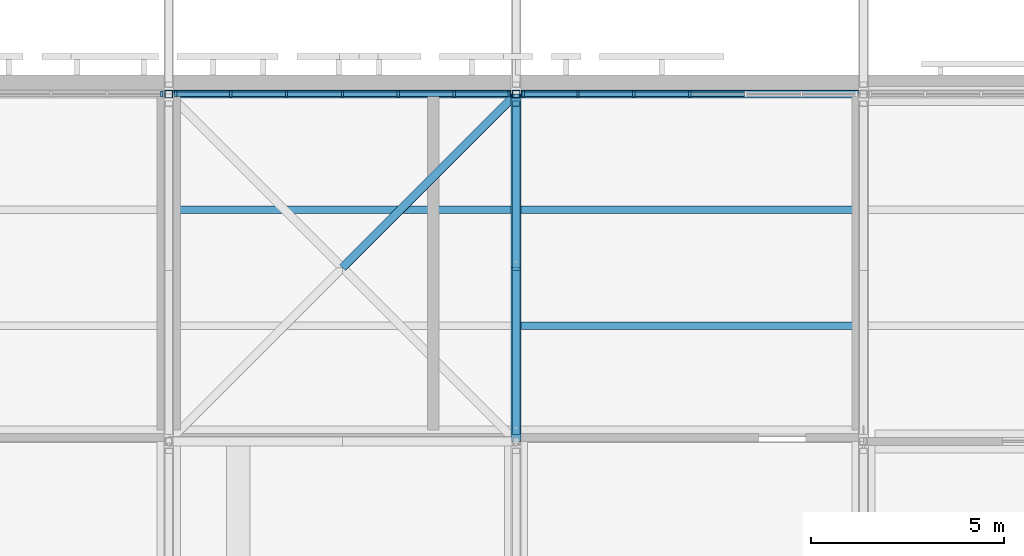
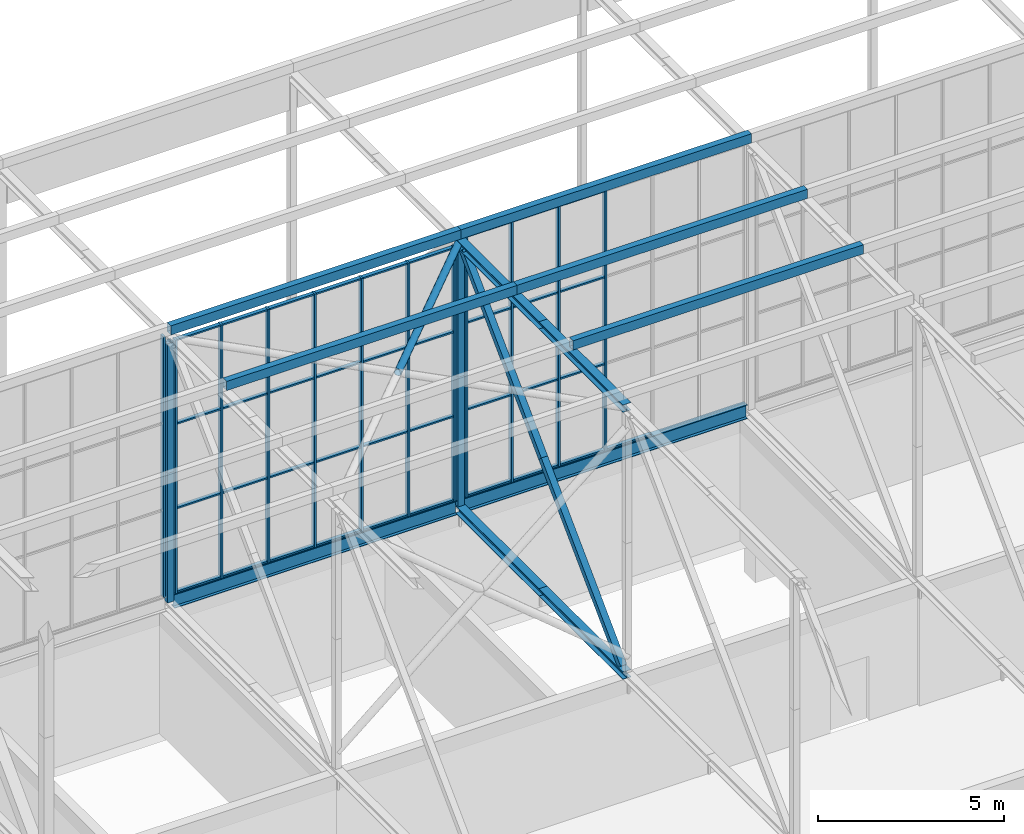
# One storey, part 128 of 646: 65 members, 2 beams, 3 elements without a shape of their own.
"""IFC4 building model written with IfcOpenShell, lengths in metres."""

from ifc_helpers import new_model, si_unit, direction, frame, origin, origin_2d, place, context, subcontext, project, spatial, rectangle, hollow_rectangle, hollow_circle, i_section, extrude, material, material_profile, profile_set, type_object, element, aggregate, save


model = new_model("IFC4")

# Units and contexts
model_context = context("Model", 3, precision=1e-05, world=origin(), true_north=direction((0.0, 1.0)))
body_context = subcontext(model_context, "Body", "Model", "MODEL_VIEW")
ifc_project = project(units=[si_unit("LENGTHUNIT", "METRE"), si_unit("AREAUNIT", "SQUARE_METRE"), si_unit("VOLUMEUNIT", "CUBIC_METRE"), si_unit("PLANEANGLEUNIT", "RADIAN"), si_unit("MASSUNIT", "GRAM", prefix="KILO")], contexts=[model_context])

# Site, building, storey
site_placement = place(None, origin())
site = spatial("IfcSite", under=ifc_project, at=site_placement, CompositionType="ELEMENT")
building_placement = place(site_placement, origin())
building = spatial("IfcBuilding", under=site, at=building_placement, Name="Silverbay Arena", CompositionType="ELEMENT")
storey_placement = place(building_placement, frame((0.0, 0.0, 33.5)))
storey = spatial("IfcBuildingStorey", under=building, at=storey_placement, Name="L05", CompositionType="ELEMENT", Elevation=33.5)

# Members
ifc_material_1 = material(Name="Steel S355", Category="steel")
ifc_material_profile_1 = material_profile(ifc_material_1, i_section(OverallWidth=0.254638671875, OverallDepth=0.254150390625, WebThickness=0.008544921875, FlangeThickness=0.01416015625, at=origin_2d()), Name="UC 254x254x73")
ifc_profile_set_1 = profile_set([ifc_material_profile_1], Name="Steel S355")
member_type_1 = type_object("IfcMemberType", Name="Medium-span bottom chord UC 254x254x73", PredefinedType="CHORD", material=ifc_profile_set_1)
for number, where, z_axis, x_axis, name in (
    (1, (171.0, 135.0, 4.126953125), (0.0, 1.0, 0.0), (-1.0, 0.0, 0.0), "ROOF TRUSS 20 bottom chord 15a"),
    (2, (171.0, 139.5, 4.126953125), (0.0, 1.0, 0.0), (-1.0, 0.0, 0.0), "ROOF TRUSS 20 bottom chord 15b"),
):
    element("IfcMember", number, at=place(storey_placement, frame(where, z_axis=z_axis, x_axis=x_axis)), inside=storey, type_object=member_type_1, Name=name, PredefinedType="CHORD", context=body_context, shape_type="SweptSolid", body=[
        extrude(i_section(OverallWidth=0.254638671875, OverallDepth=0.254150390625, WebThickness=0.008544921875, FlangeThickness=0.01416015625, at=origin_2d()), origin(), (0.0, 0.0, 1.0), 4.5),
    ])
ifc_material_2 = material(Name="Steel S355", Category="steel")
ifc_material_profile_2 = material_profile(ifc_material_2, i_section(OverallWidth=0.254638671875, OverallDepth=0.254150390625, WebThickness=0.008544921875, FlangeThickness=0.01416015625, at=origin_2d()), Name="UC 254x254x73")
ifc_profile_set_2 = profile_set([ifc_material_profile_2], Name="Steel S355")
member_type_2 = type_object("IfcMemberType", Name="Medium-span top chord UC 254x254x73", PredefinedType="CHORD", material=ifc_profile_set_2)
for number, where, z_axis, x_axis, name in (
    (3, (171.0, 135.0, 12.873046875), (0.0, 1.0, 0.0), (-1.0, 0.0, 0.0), "ROOF TRUSS 20 top chord 15a"),
    (4, (171.0, 139.5, 12.873046875), (0.0, 1.0, 0.0), (-1.0, 0.0, 0.0), "ROOF TRUSS 20 top chord 15b"),
):
    element("IfcMember", number, at=place(storey_placement, frame(where, z_axis=z_axis, x_axis=x_axis)), inside=storey, type_object=member_type_2, Name=name, PredefinedType="CHORD", context=body_context, shape_type="SweptSolid", body=[
        extrude(i_section(OverallWidth=0.254638671875, OverallDepth=0.254150390625, WebThickness=0.008544921875, FlangeThickness=0.01416015625, at=origin_2d()), origin(), (0.0, 0.0, 1.0), 4.5),
    ])
ifc_material_3 = material(Name="Steel S355", Category="steel")
ifc_material_profile_3 = material_profile(ifc_material_3, hollow_rectangle(XDim=0.199951171875, YDim=0.199951171875, WallThickness=0.008056640625, at=origin_2d()), Name="SHS 200x200x8")
ifc_profile_set_3 = profile_set([ifc_material_profile_3], Name="Steel S355")
member_type_3 = type_object("IfcMemberType", Name="Medium-span truss diagonal SHS 200x200x8", PredefinedType="BRACE", material=ifc_profile_set_3)
for number, where, z_axis, x_axis, name in (
    (5, (171.0, 143.75439453125, 12.745849609375), (0.0, -0.70781724692, -0.706395600894), (1.0, 0.0, 0.0), "ROOF TRUSS 20 diagonal 15a"),
    (6, (171.0, 139.5, 8.5), (0.0, -0.70781724692, -0.706395600894), (1.0, 0.0, 0.0), "ROOF TRUSS 20 diagonal 15b"),
):
    element("IfcMember", number, at=place(storey_placement, frame(where, z_axis=z_axis, x_axis=x_axis)), inside=storey, type_object=member_type_3, Name=name, PredefinedType="BRACE", context=body_context, shape_type="SweptSolid", body=[
        extrude(hollow_rectangle(XDim=0.199951171875, YDim=0.199951171875, WallThickness=0.008056640625, at=origin_2d()), origin(), (0.0, 0.0, 1.0), 6.010498046875),
    ])
ifc_material_4 = material(Name="Steel S355", Category="steel")
ifc_material_profile_4 = material_profile(ifc_material_4, hollow_rectangle(XDim=0.199951171875, YDim=0.199951171875, WallThickness=0.008056640625, at=origin_2d()), Name="SHS 200x200x8")
ifc_profile_set_4 = profile_set([ifc_material_profile_4], Name="Steel S355")
member_type_4 = type_object("IfcMemberType", Name="Medium-span truss vertical SHS 200x200x8", PredefinedType="STRUT", material=ifc_profile_set_4)
for number, where, z_axis, x_axis, name in (
    (7, (162.0, 144.0, 4.254150390625), (0.0, 0.0, 1.0), (1.0, 0.0, 0.0), "ROOF TRUSS 19 vertical 16a"),
    (8, (162.0, 144.0, 8.5), (0.0, 0.0, 1.0), (1.0, 0.0, 0.0), "ROOF TRUSS 19 vertical 16b"),
    (9, (171.0, 144.0, 4.254150390625), (0.0, 0.0, 1.0), (1.0, 0.0, 0.0), "ROOF TRUSS 20 vertical 16a"),
    (10, (171.0, 144.0, 8.5), (0.0, 0.0, 1.0), (1.0, 0.0, 0.0), "ROOF TRUSS 20 vertical 16b"),
):
    element("IfcMember", number, at=place(storey_placement, frame(where, z_axis=z_axis, x_axis=x_axis)), inside=storey, type_object=member_type_4, Name=name, PredefinedType="STRUT", context=body_context, shape_type="SweptSolid", body=[
        extrude(hollow_rectangle(XDim=0.199951171875, YDim=0.199951171875, WallThickness=0.008056640625, at=origin_2d()), origin(), (0.0, 0.0, 1.0), 4.245849609375),
    ])

# Curtain wall, member
ifc_material_5 = material(Name="Aluminium framed glazing", Category="aluminium")
curtain_wall_type_1 = type_object("IfcCurtainWallType", Name="Curtain wall clerestory 8693 x 8540", PredefinedType="NOTDEFINED", material=ifc_material_5)
curtain_wall_1_placement = place(storey_placement, origin())
curtain_wall_1 = element("IfcCurtainWall", 11, at=curtain_wall_1_placement, inside=storey, type_object=curtain_wall_type_1, Name="ROOF CLERESTORY CURTAIN WALL north bay 12", PredefinedType="NOTDEFINED")
ifc_material_6 = material(Name="Aluminium", Category="aluminium")
ifc_material_profile_5 = material_profile(ifc_material_6, rectangle(XDim=0.159912109375, YDim=0.06005859375, at=origin_2d()), Name="Mullion 60 x 160")
ifc_profile_set_5 = profile_set([ifc_material_profile_5], Name="Aluminium")
member_type_5 = type_object("IfcMemberType", Name="Mullion 60 x 160", PredefinedType="MULLION", material=ifc_profile_set_5)
member_1_placement = place(storey_placement, frame((161.81640625, 144.0, 4.4599609375), z_axis=(0.0, 0.0, 1.0), x_axis=(0.0, 1.0, 0.0)))
member_1 = element("IfcMember", 12, at=member_1_placement, type_object=member_type_5, Name="CW55 mullion 7", PredefinedType="MULLION", context=body_context, shape_type="SweptSolid", body=[
    extrude(rectangle(XDim=0.159912109375, YDim=0.06005859375, at=origin_2d()), origin(), (0.0, 0.0, 1.0), 8.5400390625),
])
aggregate(curtain_wall_1, [member_1])

# Curtain wall, members
ifc_material_7 = material(Name="Aluminium framed glazing", Category="aluminium")
curtain_wall_type_2 = type_object("IfcCurtainWallType", Name="Curtain wall clerestory 8693 x 8303", PredefinedType="NOTDEFINED", material=ifc_material_7)
curtain_wall_2_placement = place(storey_placement, origin())
curtain_wall_2 = element("IfcCurtainWall", 13, at=curtain_wall_2_placement, inside=storey, type_object=curtain_wall_type_2, Name="ROOF CLERESTORY CURTAIN WALL north bay 13", PredefinedType="NOTDEFINED")
member_2_placement = place(storey_placement, frame((162.18359375, 144.0, 4.4599609375), z_axis=(0.0, 0.0, 1.0), x_axis=(0.0, 1.0, 0.0)))
member_2 = element("IfcMember", 14, at=member_2_placement, type_object=member_type_5, Name="CW54 mullion 1", PredefinedType="MULLION", context=body_context, shape_type="SweptSolid", body=[
    extrude(rectangle(XDim=0.159912109375, YDim=0.06005859375, at=origin_2d()), origin(), (0.0, 0.0, 1.0), 8.303466796875),
])
member_3_placement = place(storey_placement, frame((163.6025390625, 144.0, 4.4599609375), z_axis=(0.0, 0.0, 1.0), x_axis=(0.0, 1.0, 0.0)))
member_3 = element("IfcMember", 15, at=member_3_placement, type_object=member_type_5, Name="CW54 mullion 2", PredefinedType="MULLION", context=body_context, shape_type="SweptSolid", body=[
    extrude(rectangle(XDim=0.159912109375, YDim=0.06005859375, at=origin_2d()), origin(), (0.0, 0.0, 1.0), 8.303466796875),
])
member_4_placement = place(storey_placement, frame((165.05126953125, 144.0, 4.4599609375), z_axis=(0.0, 0.0, 1.0), x_axis=(0.0, 1.0, 0.0)))
member_4 = element("IfcMember", 16, at=member_4_placement, type_object=member_type_5, Name="CW54 mullion 3", PredefinedType="MULLION", context=body_context, shape_type="SweptSolid", body=[
    extrude(rectangle(XDim=0.159912109375, YDim=0.06005859375, at=origin_2d()), origin(), (0.0, 0.0, 1.0), 8.303466796875),
])
member_5_placement = place(storey_placement, frame((166.5, 144.0, 4.4599609375), z_axis=(0.0, 0.0, 1.0), x_axis=(0.0, 1.0, 0.0)))
member_5 = element("IfcMember", 17, at=member_5_placement, type_object=member_type_5, Name="CW54 mullion 4", PredefinedType="MULLION", context=body_context, shape_type="SweptSolid", body=[
    extrude(rectangle(XDim=0.159912109375, YDim=0.06005859375, at=origin_2d()), origin(), (0.0, 0.0, 1.0), 8.303466796875),
])
member_6_placement = place(storey_placement, frame((167.94873046875, 144.0, 4.4599609375), z_axis=(0.0, 0.0, 1.0), x_axis=(0.0, 1.0, 0.0)))
member_6 = element("IfcMember", 18, at=member_6_placement, type_object=member_type_5, Name="CW54 mullion 5", PredefinedType="MULLION", context=body_context, shape_type="SweptSolid", body=[
    extrude(rectangle(XDim=0.159912109375, YDim=0.06005859375, at=origin_2d()), origin(), (0.0, 0.0, 1.0), 8.303466796875),
])
member_7_placement = place(storey_placement, frame((169.3974609375, 144.0, 4.4599609375), z_axis=(0.0, 0.0, 1.0), x_axis=(0.0, 1.0, 0.0)))
member_7 = element("IfcMember", 19, at=member_7_placement, type_object=member_type_5, Name="CW54 mullion 6", PredefinedType="MULLION", context=body_context, shape_type="SweptSolid", body=[
    extrude(rectangle(XDim=0.159912109375, YDim=0.06005859375, at=origin_2d()), origin(), (0.0, 0.0, 1.0), 8.303466796875),
])
member_8_placement = place(storey_placement, frame((170.81640625, 144.0, 4.4599609375), z_axis=(0.0, 0.0, 1.0), x_axis=(0.0, 1.0, 0.0)))
member_8 = element("IfcMember", 20, at=member_8_placement, type_object=member_type_5, Name="CW54 mullion 7", PredefinedType="MULLION", context=body_context, shape_type="SweptSolid", body=[
    extrude(rectangle(XDim=0.159912109375, YDim=0.06005859375, at=origin_2d()), origin(), (0.0, 0.0, 1.0), 8.303466796875),
])

curtain_wall_3_placement = place(storey_placement, origin())
curtain_wall_3 = element("IfcCurtainWall", 21, at=curtain_wall_3_placement, inside=storey, type_object=curtain_wall_type_1, Name="ROOF CLERESTORY CURTAIN WALL north bay 14", PredefinedType="NOTDEFINED")
member_9_placement = place(storey_placement, frame((171.18359375, 144.0, 4.4599609375), z_axis=(0.0, 0.0, 1.0), x_axis=(0.0, 1.0, 0.0)))
member_9 = element("IfcMember", 22, at=member_9_placement, type_object=member_type_5, Name="CW55 mullion 1", PredefinedType="MULLION", context=body_context, shape_type="SweptSolid", body=[
    extrude(rectangle(XDim=0.159912109375, YDim=0.06005859375, at=origin_2d()), origin(), (0.0, 0.0, 1.0), 8.5400390625),
])
member_10_placement = place(storey_placement, frame((172.6025390625, 144.0, 4.4599609375), z_axis=(0.0, 0.0, 1.0), x_axis=(0.0, 1.0, 0.0)))
member_10 = element("IfcMember", 23, at=member_10_placement, type_object=member_type_5, Name="CW55 mullion 2", PredefinedType="MULLION", context=body_context, shape_type="SweptSolid", body=[
    extrude(rectangle(XDim=0.159912109375, YDim=0.06005859375, at=origin_2d()), origin(), (0.0, 0.0, 1.0), 8.5400390625),
])
member_11_placement = place(storey_placement, frame((174.05126953125, 144.0, 4.4599609375), z_axis=(0.0, 0.0, 1.0), x_axis=(0.0, 1.0, 0.0)))
member_11 = element("IfcMember", 24, at=member_11_placement, type_object=member_type_5, Name="CW55 mullion 3", PredefinedType="MULLION", context=body_context, shape_type="SweptSolid", body=[
    extrude(rectangle(XDim=0.159912109375, YDim=0.06005859375, at=origin_2d()), origin(), (0.0, 0.0, 1.0), 8.5400390625),
])
member_12_placement = place(storey_placement, frame((175.5, 144.0, 4.4599609375), z_axis=(0.0, 0.0, 1.0), x_axis=(0.0, 1.0, 0.0)))
member_12 = element("IfcMember", 25, at=member_12_placement, type_object=member_type_5, Name="CW55 mullion 4", PredefinedType="MULLION", context=body_context, shape_type="SweptSolid", body=[
    extrude(rectangle(XDim=0.159912109375, YDim=0.06005859375, at=origin_2d()), origin(), (0.0, 0.0, 1.0), 8.5400390625),
])

# Members
ifc_material_8 = material(Name="Steel S355", Category="steel")
ifc_material_profile_6 = material_profile(ifc_material_8, hollow_circle(Radius=0.109619140625, WallThickness=0.00634765625, at=origin_2d()), Name="CHS 219.1x6.3")
ifc_profile_set_6 = profile_set([ifc_material_profile_6], Name="Steel S355")
member_type_6 = type_object("IfcMemberType", Name="Plan bracing CHS 219.1x6.3", PredefinedType="BRACE", material=ifc_profile_set_6)
member_13_placement = place(storey_placement, frame((166.5, 139.5, 12.873046875), z_axis=(0.707106781187, 0.707106781187, 0.0), x_axis=(-0.707106781187, 0.707106781187, 0.0)))
element("IfcMember", 26, at=member_13_placement, inside=storey, type_object=member_type_6, Name="ROOF BRACING top 19-20 panel 15 Ab", PredefinedType="BRACE", context=body_context, shape_type="SweptSolid", body=[
    extrude(hollow_circle(Radius=0.109619140625, WallThickness=0.00634765625, at=origin_2d()), origin(), (0.0, 0.0, 1.0), 6.364013671875),
])
ifc_material_9 = material(Name="Steel S355", Category="steel")
ifc_material_profile_7 = material_profile(ifc_material_9, hollow_rectangle(XDim=0.199951171875, YDim=0.300048828125, WallThickness=0.00634765625, at=origin_2d()), Name="RHS 300x200x6.3")
ifc_profile_set_7 = profile_set([ifc_material_profile_7], Name="Steel S355")
member_type_7 = type_object("IfcMemberType", Name="Purlin RHS 300x200x6.3", PredefinedType="PURLIN", material=ifc_profile_set_7)
member_14_placement = place(storey_placement, frame((171.0, 138.0, 13.14990234375), z_axis=(1.0, 0.0, 0.0), x_axis=(0.0, 1.0, 0.0)))
element("IfcMember", 27, at=member_14_placement, inside=storey, type_object=member_type_7, Name="ROOF PURLIN 20-21 line 44", PredefinedType="PURLIN", context=body_context, shape_type="SweptSolid", body=[
    extrude(hollow_rectangle(XDim=0.199951171875, YDim=0.300048828125, WallThickness=0.00634765625, at=origin_2d()), origin(), (0.0, 0.0, 1.0), 9.0),
])
ifc_material_10 = material(Name="Steel S355", Category="steel")
ifc_material_profile_8 = material_profile(ifc_material_10, hollow_rectangle(XDim=0.199951171875, YDim=0.300048828125, WallThickness=0.008056640625, at=origin_2d()), Name="RHS 300x200x8")
ifc_profile_set_8 = profile_set([ifc_material_profile_8], Name="Steel S355")
member_type_8 = type_object("IfcMemberType", Name="Purlin RHS 300x200x8", PredefinedType="PURLIN", material=ifc_profile_set_8)
for number, where, z_axis, x_axis, name in (
    (28, (162.0, 141.0, 13.14990234375), (1.0, 0.0, 0.0), (0.0, 1.0, 0.0), "ROOF PURLIN 19-20 line 45"),
    (29, (162.0, 144.0, 13.14990234375), (1.0, 0.0, 0.0), (0.0, 1.0, 0.0), "ROOF PURLIN 19-20 line 46"),
    (30, (171.0, 141.0, 13.14990234375), (1.0, 0.0, 0.0), (0.0, 1.0, 0.0), "ROOF PURLIN 20-21 line 45"),
    (31, (171.0, 144.0, 13.14990234375), (1.0, 0.0, 0.0), (0.0, 1.0, 0.0), "ROOF PURLIN 20-21 line 46"),
):
    element("IfcMember", number, at=place(storey_placement, frame(where, z_axis=z_axis, x_axis=x_axis)), inside=storey, type_object=member_type_8, Name=name, PredefinedType="PURLIN", context=body_context, shape_type="SweptSolid", body=[
        extrude(hollow_rectangle(XDim=0.199951171875, YDim=0.300048828125, WallThickness=0.008056640625, at=origin_2d()), origin(), (0.0, 0.0, 1.0), 9.0),
    ])

# Beams
ifc_material_11 = material(Name="Steel S355", Category="steel")
ifc_material_profile_9 = material_profile(ifc_material_11, i_section(OverallWidth=0.19140625, OverallDepth=0.4599609375, WebThickness=0.010009765625, FlangeThickness=0.01611328125, at=origin_2d()), Name="UB 457x191x82")
ifc_profile_set_9 = profile_set([ifc_material_profile_9], Name="Steel S355")
beam_type = type_object("IfcBeamType", Name="Ring beam UB 457x191x82", PredefinedType="BEAM", material=ifc_profile_set_9)
for number, where, z_axis, x_axis, name in (
    (32, (162.127197265625, 144.0, 4.22998046875), (1.0, 0.0, 0.0), (0.0, 1.0, 0.0), "RING BEAM north facade 19-20"),
    (33, (171.127197265625, 144.0, 4.22998046875), (1.0, 0.0, 0.0), (0.0, 1.0, 0.0), "RING BEAM north facade 20-21"),
):
    element("IfcBeam", number, at=place(storey_placement, frame(where, z_axis=z_axis, x_axis=x_axis)), inside=storey, type_object=beam_type, Name=name, PredefinedType="BEAM", context=body_context, shape_type="SweptSolid", body=[
        extrude(i_section(OverallWidth=0.19140625, OverallDepth=0.4599609375, WebThickness=0.010009765625, FlangeThickness=0.01611328125, at=origin_2d()), origin(), (0.0, 0.0, 1.0), 8.74560546875),
    ])

# Member
ifc_material_12 = material(Name="Aluminium", Category="aluminium")
ifc_material_profile_10 = material_profile(ifc_material_12, rectangle(XDim=0.1201171875, YDim=0.050048828125, at=origin_2d()), Name="Transom 50 x 120")
ifc_profile_set_10 = profile_set([ifc_material_profile_10], Name="Aluminium")
member_type_9 = type_object("IfcMemberType", Name="Transom 50 x 120", PredefinedType="USERDEFINED", material=ifc_profile_set_10)
member_15_placement = place(storey_placement, frame((162.213623046875, 144.0, 4.485107421875), z_axis=(1.0, 0.0, 0.0), x_axis=(0.0, 1.0, 0.0)))
member_15 = element("IfcMember", 34, at=member_15_placement, type_object=member_type_9, Name="CW54 transom 1.1", ObjectType="TRANSOM", PredefinedType="USERDEFINED", context=body_context, shape_type="SweptSolid", body=[
    extrude(rectangle(XDim=0.1201171875, YDim=0.050048828125, at=origin_2d()), origin(), (0.0, 0.0, 1.0), 1.35888671875),
])

member_16_placement = place(storey_placement, frame((162.213623046875, 144.0, 7.227783203125), z_axis=(1.0, 0.0, 0.0), x_axis=(0.0, 1.0, 0.0)))
member_16 = element("IfcMember", 35, at=member_16_placement, type_object=member_type_9, Name="CW54 transom 1.2", ObjectType="TRANSOM", PredefinedType="USERDEFINED", context=body_context, shape_type="SweptSolid", body=[
    extrude(rectangle(XDim=0.1201171875, YDim=0.050048828125, at=origin_2d()), origin(), (0.0, 0.0, 1.0), 1.35888671875),
])

member_17_placement = place(storey_placement, frame((162.213623046875, 144.0, 9.99560546875), z_axis=(1.0, 0.0, 0.0), x_axis=(0.0, 1.0, 0.0)))
member_17 = element("IfcMember", 36, at=member_17_placement, type_object=member_type_9, Name="CW54 transom 1.3", ObjectType="TRANSOM", PredefinedType="USERDEFINED", context=body_context, shape_type="SweptSolid", body=[
    extrude(rectangle(XDim=0.1201171875, YDim=0.050048828125, at=origin_2d()), origin(), (0.0, 0.0, 1.0), 1.35888671875),
])

member_18_placement = place(storey_placement, frame((162.213623046875, 144.0, 12.73828125), z_axis=(1.0, 0.0, 0.0), x_axis=(0.0, 1.0, 0.0)))
member_18 = element("IfcMember", 37, at=member_18_placement, type_object=member_type_9, Name="CW54 transom 1.4", ObjectType="TRANSOM", PredefinedType="USERDEFINED", context=body_context, shape_type="SweptSolid", body=[
    extrude(rectangle(XDim=0.1201171875, YDim=0.050048828125, at=origin_2d()), origin(), (0.0, 0.0, 1.0), 1.35888671875),
])

member_19_placement = place(storey_placement, frame((163.632568359375, 144.0, 4.485107421875), z_axis=(1.0, 0.0, 0.0), x_axis=(0.0, 1.0, 0.0)))
member_19 = element("IfcMember", 38, at=member_19_placement, type_object=member_type_9, Name="CW54 transom 2.1", ObjectType="TRANSOM", PredefinedType="USERDEFINED", context=body_context, shape_type="SweptSolid", body=[
    extrude(rectangle(XDim=0.1201171875, YDim=0.050048828125, at=origin_2d()), origin(), (0.0, 0.0, 1.0), 1.388671875),
])

member_20_placement = place(storey_placement, frame((163.632568359375, 144.0, 7.227783203125), z_axis=(1.0, 0.0, 0.0), x_axis=(0.0, 1.0, 0.0)))
member_20 = element("IfcMember", 39, at=member_20_placement, type_object=member_type_9, Name="CW54 transom 2.2", ObjectType="TRANSOM", PredefinedType="USERDEFINED", context=body_context, shape_type="SweptSolid", body=[
    extrude(rectangle(XDim=0.1201171875, YDim=0.050048828125, at=origin_2d()), origin(), (0.0, 0.0, 1.0), 1.388671875),
])

member_21_placement = place(storey_placement, frame((163.632568359375, 144.0, 9.99560546875), z_axis=(1.0, 0.0, 0.0), x_axis=(0.0, 1.0, 0.0)))
member_21 = element("IfcMember", 40, at=member_21_placement, type_object=member_type_9, Name="CW54 transom 2.3", ObjectType="TRANSOM", PredefinedType="USERDEFINED", context=body_context, shape_type="SweptSolid", body=[
    extrude(rectangle(XDim=0.1201171875, YDim=0.050048828125, at=origin_2d()), origin(), (0.0, 0.0, 1.0), 1.388671875),
])

member_22_placement = place(storey_placement, frame((163.632568359375, 144.0, 12.73828125), z_axis=(1.0, 0.0, 0.0), x_axis=(0.0, 1.0, 0.0)))
member_22 = element("IfcMember", 41, at=member_22_placement, type_object=member_type_9, Name="CW54 transom 2.4", ObjectType="TRANSOM", PredefinedType="USERDEFINED", context=body_context, shape_type="SweptSolid", body=[
    extrude(rectangle(XDim=0.1201171875, YDim=0.050048828125, at=origin_2d()), origin(), (0.0, 0.0, 1.0), 1.388671875),
])

member_23_placement = place(storey_placement, frame((165.081298828125, 144.0, 4.485107421875), z_axis=(1.0, 0.0, 0.0), x_axis=(0.0, 1.0, 0.0)))
member_23 = element("IfcMember", 42, at=member_23_placement, type_object=member_type_9, Name="CW54 transom 3.1", ObjectType="TRANSOM", PredefinedType="USERDEFINED", context=body_context, shape_type="SweptSolid", body=[
    extrude(rectangle(XDim=0.1201171875, YDim=0.050048828125, at=origin_2d()), origin(), (0.0, 0.0, 1.0), 1.388671875),
])

member_24_placement = place(storey_placement, frame((165.081298828125, 144.0, 7.227783203125), z_axis=(1.0, 0.0, 0.0), x_axis=(0.0, 1.0, 0.0)))
member_24 = element("IfcMember", 43, at=member_24_placement, type_object=member_type_9, Name="CW54 transom 3.2", ObjectType="TRANSOM", PredefinedType="USERDEFINED", context=body_context, shape_type="SweptSolid", body=[
    extrude(rectangle(XDim=0.1201171875, YDim=0.050048828125, at=origin_2d()), origin(), (0.0, 0.0, 1.0), 1.388671875),
])

member_25_placement = place(storey_placement, frame((165.081298828125, 144.0, 9.99560546875), z_axis=(1.0, 0.0, 0.0), x_axis=(0.0, 1.0, 0.0)))
member_25 = element("IfcMember", 44, at=member_25_placement, type_object=member_type_9, Name="CW54 transom 3.3", ObjectType="TRANSOM", PredefinedType="USERDEFINED", context=body_context, shape_type="SweptSolid", body=[
    extrude(rectangle(XDim=0.1201171875, YDim=0.050048828125, at=origin_2d()), origin(), (0.0, 0.0, 1.0), 1.388671875),
])

member_26_placement = place(storey_placement, frame((165.081298828125, 144.0, 12.73828125), z_axis=(1.0, 0.0, 0.0), x_axis=(0.0, 1.0, 0.0)))
member_26 = element("IfcMember", 45, at=member_26_placement, type_object=member_type_9, Name="CW54 transom 3.4", ObjectType="TRANSOM", PredefinedType="USERDEFINED", context=body_context, shape_type="SweptSolid", body=[
    extrude(rectangle(XDim=0.1201171875, YDim=0.050048828125, at=origin_2d()), origin(), (0.0, 0.0, 1.0), 1.388671875),
])

member_27_placement = place(storey_placement, frame((166.530029296875, 144.0, 4.485107421875), z_axis=(1.0, 0.0, 0.0), x_axis=(0.0, 1.0, 0.0)))
member_27 = element("IfcMember", 46, at=member_27_placement, type_object=member_type_9, Name="CW54 transom 4.1", ObjectType="TRANSOM", PredefinedType="USERDEFINED", context=body_context, shape_type="SweptSolid", body=[
    extrude(rectangle(XDim=0.1201171875, YDim=0.050048828125, at=origin_2d()), origin(), (0.0, 0.0, 1.0), 1.388671875),
])

member_28_placement = place(storey_placement, frame((166.530029296875, 144.0, 7.227783203125), z_axis=(1.0, 0.0, 0.0), x_axis=(0.0, 1.0, 0.0)))
member_28 = element("IfcMember", 47, at=member_28_placement, type_object=member_type_9, Name="CW54 transom 4.2", ObjectType="TRANSOM", PredefinedType="USERDEFINED", context=body_context, shape_type="SweptSolid", body=[
    extrude(rectangle(XDim=0.1201171875, YDim=0.050048828125, at=origin_2d()), origin(), (0.0, 0.0, 1.0), 1.388671875),
])

member_29_placement = place(storey_placement, frame((166.530029296875, 144.0, 9.99560546875), z_axis=(1.0, 0.0, 0.0), x_axis=(0.0, 1.0, 0.0)))
member_29 = element("IfcMember", 48, at=member_29_placement, type_object=member_type_9, Name="CW54 transom 4.3", ObjectType="TRANSOM", PredefinedType="USERDEFINED", context=body_context, shape_type="SweptSolid", body=[
    extrude(rectangle(XDim=0.1201171875, YDim=0.050048828125, at=origin_2d()), origin(), (0.0, 0.0, 1.0), 1.388671875),
])

member_30_placement = place(storey_placement, frame((166.530029296875, 144.0, 12.73828125), z_axis=(1.0, 0.0, 0.0), x_axis=(0.0, 1.0, 0.0)))
member_30 = element("IfcMember", 49, at=member_30_placement, type_object=member_type_9, Name="CW54 transom 4.4", ObjectType="TRANSOM", PredefinedType="USERDEFINED", context=body_context, shape_type="SweptSolid", body=[
    extrude(rectangle(XDim=0.1201171875, YDim=0.050048828125, at=origin_2d()), origin(), (0.0, 0.0, 1.0), 1.388671875),
])

member_31_placement = place(storey_placement, frame((167.978759765625, 144.0, 4.485107421875), z_axis=(1.0, 0.0, 0.0), x_axis=(0.0, 1.0, 0.0)))
member_31 = element("IfcMember", 50, at=member_31_placement, type_object=member_type_9, Name="CW54 transom 5.1", ObjectType="TRANSOM", PredefinedType="USERDEFINED", context=body_context, shape_type="SweptSolid", body=[
    extrude(rectangle(XDim=0.1201171875, YDim=0.050048828125, at=origin_2d()), origin(), (0.0, 0.0, 1.0), 1.388671875),
])

member_32_placement = place(storey_placement, frame((167.978759765625, 144.0, 7.227783203125), z_axis=(1.0, 0.0, 0.0), x_axis=(0.0, 1.0, 0.0)))
member_32 = element("IfcMember", 51, at=member_32_placement, type_object=member_type_9, Name="CW54 transom 5.2", ObjectType="TRANSOM", PredefinedType="USERDEFINED", context=body_context, shape_type="SweptSolid", body=[
    extrude(rectangle(XDim=0.1201171875, YDim=0.050048828125, at=origin_2d()), origin(), (0.0, 0.0, 1.0), 1.388671875),
])

member_33_placement = place(storey_placement, frame((167.978759765625, 144.0, 9.99560546875), z_axis=(1.0, 0.0, 0.0), x_axis=(0.0, 1.0, 0.0)))
member_33 = element("IfcMember", 52, at=member_33_placement, type_object=member_type_9, Name="CW54 transom 5.3", ObjectType="TRANSOM", PredefinedType="USERDEFINED", context=body_context, shape_type="SweptSolid", body=[
    extrude(rectangle(XDim=0.1201171875, YDim=0.050048828125, at=origin_2d()), origin(), (0.0, 0.0, 1.0), 1.388671875),
])

member_34_placement = place(storey_placement, frame((167.978759765625, 144.0, 12.73828125), z_axis=(1.0, 0.0, 0.0), x_axis=(0.0, 1.0, 0.0)))
member_34 = element("IfcMember", 53, at=member_34_placement, type_object=member_type_9, Name="CW54 transom 5.4", ObjectType="TRANSOM", PredefinedType="USERDEFINED", context=body_context, shape_type="SweptSolid", body=[
    extrude(rectangle(XDim=0.1201171875, YDim=0.050048828125, at=origin_2d()), origin(), (0.0, 0.0, 1.0), 1.388671875),
])

member_35_placement = place(storey_placement, frame((169.427490234375, 144.0, 4.485107421875), z_axis=(1.0, 0.0, 0.0), x_axis=(0.0, 1.0, 0.0)))
member_35 = element("IfcMember", 54, at=member_35_placement, type_object=member_type_9, Name="CW54 transom 6.1", ObjectType="TRANSOM", PredefinedType="USERDEFINED", context=body_context, shape_type="SweptSolid", body=[
    extrude(rectangle(XDim=0.1201171875, YDim=0.050048828125, at=origin_2d()), origin(), (0.0, 0.0, 1.0), 1.35888671875),
])

member_36_placement = place(storey_placement, frame((169.427490234375, 144.0, 7.227783203125), z_axis=(1.0, 0.0, 0.0), x_axis=(0.0, 1.0, 0.0)))
member_36 = element("IfcMember", 55, at=member_36_placement, type_object=member_type_9, Name="CW54 transom 6.2", ObjectType="TRANSOM", PredefinedType="USERDEFINED", context=body_context, shape_type="SweptSolid", body=[
    extrude(rectangle(XDim=0.1201171875, YDim=0.050048828125, at=origin_2d()), origin(), (0.0, 0.0, 1.0), 1.35888671875),
])

member_37_placement = place(storey_placement, frame((169.427490234375, 144.0, 9.99560546875), z_axis=(1.0, 0.0, 0.0), x_axis=(0.0, 1.0, 0.0)))
member_37 = element("IfcMember", 56, at=member_37_placement, type_object=member_type_9, Name="CW54 transom 6.3", ObjectType="TRANSOM", PredefinedType="USERDEFINED", context=body_context, shape_type="SweptSolid", body=[
    extrude(rectangle(XDim=0.1201171875, YDim=0.050048828125, at=origin_2d()), origin(), (0.0, 0.0, 1.0), 1.35888671875),
])

member_38_placement = place(storey_placement, frame((169.427490234375, 144.0, 12.73828125), z_axis=(1.0, 0.0, 0.0), x_axis=(0.0, 1.0, 0.0)))
member_38 = element("IfcMember", 57, at=member_38_placement, type_object=member_type_9, Name="CW54 transom 6.4", ObjectType="TRANSOM", PredefinedType="USERDEFINED", context=body_context, shape_type="SweptSolid", body=[
    extrude(rectangle(XDim=0.1201171875, YDim=0.050048828125, at=origin_2d()), origin(), (0.0, 0.0, 1.0), 1.35888671875),
])

aggregate(curtain_wall_2, [member_2, member_3, member_4, member_5, member_6, member_7, member_8, member_15, member_16, member_17, member_18, member_19, member_20, member_21, member_22, member_23, member_24, member_25, member_26, member_27, member_28, member_29, member_30, member_31, member_32, member_33, member_34, member_35, member_36, member_37, member_38])

member_39_placement = place(storey_placement, frame((171.213623046875, 144.0, 4.485107421875), z_axis=(1.0, 0.0, 0.0), x_axis=(0.0, 1.0, 0.0)))
member_39 = element("IfcMember", 58, at=member_39_placement, type_object=member_type_9, Name="CW55 transom 1.1", ObjectType="TRANSOM", PredefinedType="USERDEFINED", context=body_context, shape_type="SweptSolid", body=[
    extrude(rectangle(XDim=0.1201171875, YDim=0.050048828125, at=origin_2d()), origin(), (0.0, 0.0, 1.0), 1.35888671875),
])

member_40_placement = place(storey_placement, frame((171.213623046875, 144.0, 7.306640625), z_axis=(1.0, 0.0, 0.0), x_axis=(0.0, 1.0, 0.0)))
member_40 = element("IfcMember", 59, at=member_40_placement, type_object=member_type_9, Name="CW55 transom 1.2", ObjectType="TRANSOM", PredefinedType="USERDEFINED", context=body_context, shape_type="SweptSolid", body=[
    extrude(rectangle(XDim=0.1201171875, YDim=0.050048828125, at=origin_2d()), origin(), (0.0, 0.0, 1.0), 1.35888671875),
])

member_41_placement = place(storey_placement, frame((171.213623046875, 144.0, 10.1533203125), z_axis=(1.0, 0.0, 0.0), x_axis=(0.0, 1.0, 0.0)))
member_41 = element("IfcMember", 60, at=member_41_placement, type_object=member_type_9, Name="CW55 transom 1.3", ObjectType="TRANSOM", PredefinedType="USERDEFINED", context=body_context, shape_type="SweptSolid", body=[
    extrude(rectangle(XDim=0.1201171875, YDim=0.050048828125, at=origin_2d()), origin(), (0.0, 0.0, 1.0), 1.35888671875),
])

member_42_placement = place(storey_placement, frame((171.213623046875, 144.0, 12.97509765625), z_axis=(1.0, 0.0, 0.0), x_axis=(0.0, 1.0, 0.0)))
member_42 = element("IfcMember", 61, at=member_42_placement, type_object=member_type_9, Name="CW55 transom 1.4", ObjectType="TRANSOM", PredefinedType="USERDEFINED", context=body_context, shape_type="SweptSolid", body=[
    extrude(rectangle(XDim=0.1201171875, YDim=0.050048828125, at=origin_2d()), origin(), (0.0, 0.0, 1.0), 1.35888671875),
])

member_43_placement = place(storey_placement, frame((172.632568359375, 144.0, 4.485107421875), z_axis=(1.0, 0.0, 0.0), x_axis=(0.0, 1.0, 0.0)))
member_43 = element("IfcMember", 62, at=member_43_placement, type_object=member_type_9, Name="CW55 transom 2.1", ObjectType="TRANSOM", PredefinedType="USERDEFINED", context=body_context, shape_type="SweptSolid", body=[
    extrude(rectangle(XDim=0.1201171875, YDim=0.050048828125, at=origin_2d()), origin(), (0.0, 0.0, 1.0), 1.388671875),
])

member_44_placement = place(storey_placement, frame((172.632568359375, 144.0, 7.306640625), z_axis=(1.0, 0.0, 0.0), x_axis=(0.0, 1.0, 0.0)))
member_44 = element("IfcMember", 63, at=member_44_placement, type_object=member_type_9, Name="CW55 transom 2.2", ObjectType="TRANSOM", PredefinedType="USERDEFINED", context=body_context, shape_type="SweptSolid", body=[
    extrude(rectangle(XDim=0.1201171875, YDim=0.050048828125, at=origin_2d()), origin(), (0.0, 0.0, 1.0), 1.388671875),
])

member_45_placement = place(storey_placement, frame((172.632568359375, 144.0, 10.1533203125), z_axis=(1.0, 0.0, 0.0), x_axis=(0.0, 1.0, 0.0)))
member_45 = element("IfcMember", 64, at=member_45_placement, type_object=member_type_9, Name="CW55 transom 2.3", ObjectType="TRANSOM", PredefinedType="USERDEFINED", context=body_context, shape_type="SweptSolid", body=[
    extrude(rectangle(XDim=0.1201171875, YDim=0.050048828125, at=origin_2d()), origin(), (0.0, 0.0, 1.0), 1.388671875),
])

member_46_placement = place(storey_placement, frame((172.632568359375, 144.0, 12.97509765625), z_axis=(1.0, 0.0, 0.0), x_axis=(0.0, 1.0, 0.0)))
member_46 = element("IfcMember", 65, at=member_46_placement, type_object=member_type_9, Name="CW55 transom 2.4", ObjectType="TRANSOM", PredefinedType="USERDEFINED", context=body_context, shape_type="SweptSolid", body=[
    extrude(rectangle(XDim=0.1201171875, YDim=0.050048828125, at=origin_2d()), origin(), (0.0, 0.0, 1.0), 1.388671875),
])

member_47_placement = place(storey_placement, frame((174.081298828125, 144.0, 4.485107421875), z_axis=(1.0, 0.0, 0.0), x_axis=(0.0, 1.0, 0.0)))
member_47 = element("IfcMember", 66, at=member_47_placement, type_object=member_type_9, Name="CW55 transom 3.1", ObjectType="TRANSOM", PredefinedType="USERDEFINED", context=body_context, shape_type="SweptSolid", body=[
    extrude(rectangle(XDim=0.1201171875, YDim=0.050048828125, at=origin_2d()), origin(), (0.0, 0.0, 1.0), 1.388671875),
])

member_48_placement = place(storey_placement, frame((174.081298828125, 144.0, 7.306640625), z_axis=(1.0, 0.0, 0.0), x_axis=(0.0, 1.0, 0.0)))
member_48 = element("IfcMember", 67, at=member_48_placement, type_object=member_type_9, Name="CW55 transom 3.2", ObjectType="TRANSOM", PredefinedType="USERDEFINED", context=body_context, shape_type="SweptSolid", body=[
    extrude(rectangle(XDim=0.1201171875, YDim=0.050048828125, at=origin_2d()), origin(), (0.0, 0.0, 1.0), 1.388671875),
])

member_49_placement = place(storey_placement, frame((174.081298828125, 144.0, 10.1533203125), z_axis=(1.0, 0.0, 0.0), x_axis=(0.0, 1.0, 0.0)))
member_49 = element("IfcMember", 68, at=member_49_placement, type_object=member_type_9, Name="CW55 transom 3.3", ObjectType="TRANSOM", PredefinedType="USERDEFINED", context=body_context, shape_type="SweptSolid", body=[
    extrude(rectangle(XDim=0.1201171875, YDim=0.050048828125, at=origin_2d()), origin(), (0.0, 0.0, 1.0), 1.388671875),
])

member_50_placement = place(storey_placement, frame((174.081298828125, 144.0, 12.97509765625), z_axis=(1.0, 0.0, 0.0), x_axis=(0.0, 1.0, 0.0)))
member_50 = element("IfcMember", 69, at=member_50_placement, type_object=member_type_9, Name="CW55 transom 3.4", ObjectType="TRANSOM", PredefinedType="USERDEFINED", context=body_context, shape_type="SweptSolid", body=[
    extrude(rectangle(XDim=0.1201171875, YDim=0.050048828125, at=origin_2d()), origin(), (0.0, 0.0, 1.0), 1.388671875),
])

member_51_placement = place(storey_placement, frame((175.530029296875, 144.0, 4.485107421875), z_axis=(1.0, 0.0, 0.0), x_axis=(0.0, 1.0, 0.0)))
member_51 = element("IfcMember", 70, at=member_51_placement, type_object=member_type_9, Name="CW55 transom 4.1", ObjectType="TRANSOM", PredefinedType="USERDEFINED", context=body_context, shape_type="SweptSolid", body=[
    extrude(rectangle(XDim=0.1201171875, YDim=0.050048828125, at=origin_2d()), origin(), (0.0, 0.0, 1.0), 1.388671875),
])

aggregate(curtain_wall_3, [member_9, member_10, member_11, member_12, member_39, member_40, member_41, member_42, member_43, member_44, member_45, member_46, member_47, member_48, member_49, member_50, member_51])

save(model, "model.ifc")
